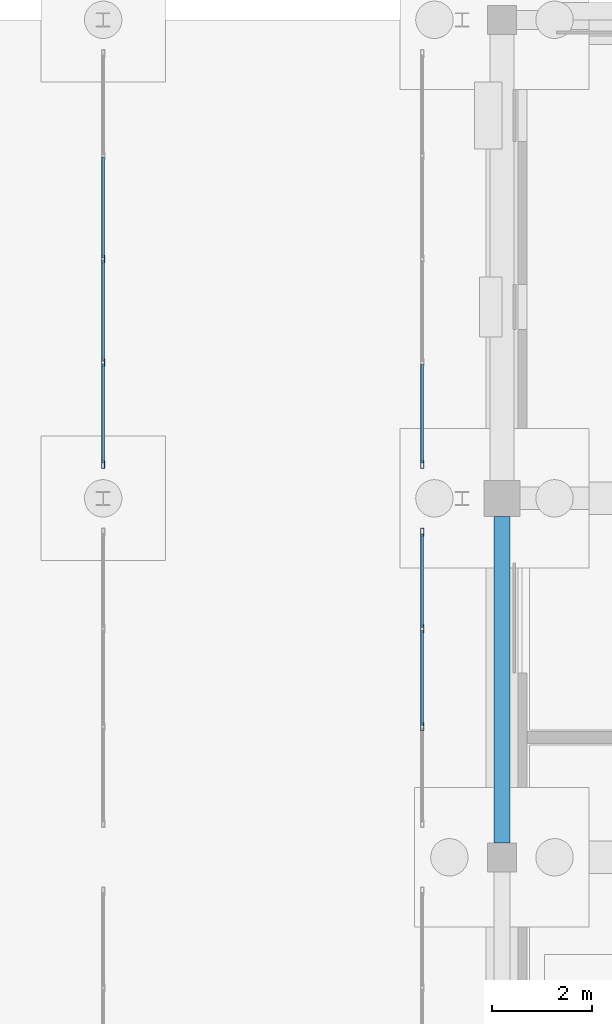
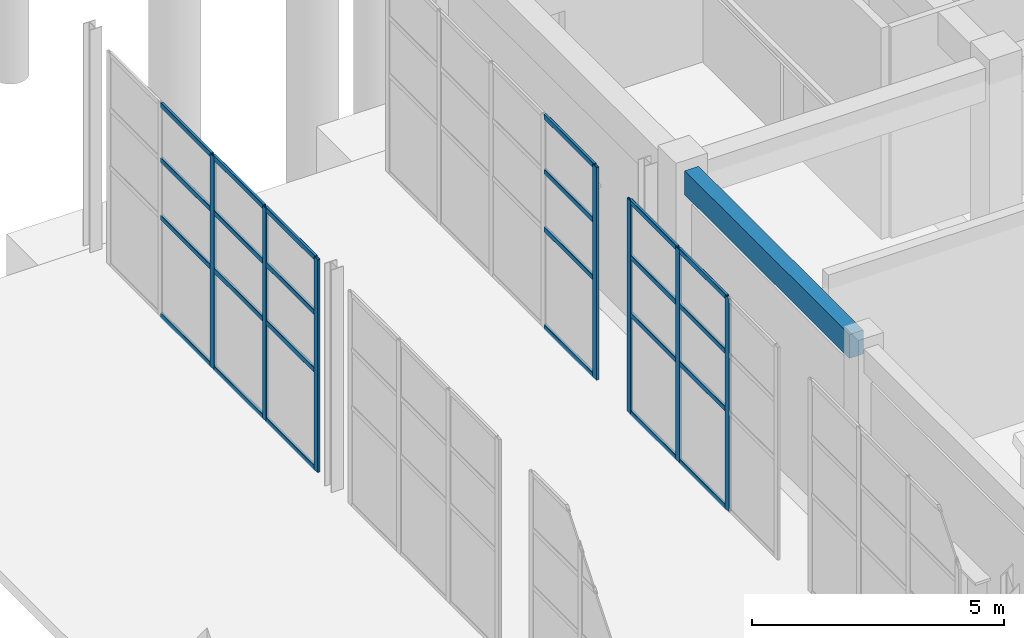
# One storey, part 28 of 91: 31 members, 1 beam, 3 elements without a shape of their own.
"""IFC4 building model written with IfcOpenShell, lengths in metres."""

import ifcopenshell
import ifcopenshell.guid

model = None  # the IFC model being written
_history = None  # IfcOwnerHistory: only IFC2X3 demands one
_inside = {}  # id of a spatial element -> (the spatial element, [elements in it])
_under = {}  # id of a project, library or spatial element -> (it, [spatial elements below it])
_declared = {}  # id of a project -> (the project, [libraries it declares])
_typed = {}  # id of a type object -> (the type object, [elements of that type])
_made_of = {}  # id of a material, layer set ... -> (it, [elements and type objects made of it])


def new_model(schema):
    """Start an empty IFC model of exactly this schema.

    Asked for "IFC4X3", IfcOpenShell would pick the latest addendum, in which some entities
    have other attributes; the version numbers below select the first issue.
    IFC2X3 requires an IfcOwnerHistory on every rooted entity: one is made here for all.
    """
    global model, _history
    if schema == "IFC4X3":
        model = ifcopenshell.file(schema_version=(4, 3, 0, 0))
    else:
        model = ifcopenshell.file(schema=schema)
    _inside.clear()
    _under.clear()
    _declared.clear()
    _typed.clear()
    _made_of.clear()
    _history = None
    if model.schema == "IFC2X3":
        org = make("IfcOrganization", Name="unknown")
        user = make(
            "IfcPersonAndOrganization",
            ThePerson=make("IfcPerson", FamilyName="unknown"),
            TheOrganization=org,
        )
        app = make(
            "IfcApplication",
            ApplicationDeveloper=org,
            Version="unknown",
            ApplicationFullName="unknown",
            ApplicationIdentifier="unknown",
        )
        _history = make(
            "IfcOwnerHistory",
            OwningUser=user,
            OwningApplication=app,
            ChangeAction="ADDED",
            CreationDate=0,
        )
    return model


def make(cls, **values):
    """One entity of the class cls with the attributes given. An attribute that is None is left unset."""
    return model.create_entity(
        cls, **{name: value for name, value in values.items() if value is not None}
    )


def rooted(cls, **values):
    """An entity with a GlobalId (a new one), such as an element, a storey or a relation."""
    return make(cls, GlobalId=ifcopenshell.guid.new(), OwnerHistory=_history, **values)


def si_unit(unit_type, name, prefix=None):
    """IfcSIUnit, for example si_unit("LENGTHUNIT", "METRE", prefix="MILLI")."""
    return make("IfcSIUnit", UnitType=unit_type, Prefix=prefix, Name=name)


def assignment(units):
    """IfcUnitAssignment: the units of a project."""
    return None if units is None else make("IfcUnitAssignment", Units=units)


def point(xyz):
    """IfcCartesianPoint."""
    return None if xyz is None else make("IfcCartesianPoint", Coordinates=xyz)


def direction(xyz):
    """IfcDirection."""
    return None if xyz is None else make("IfcDirection", DirectionRatios=xyz)


def frame(location, z_axis=None, x_axis=None):
    """IfcAxis2Placement3D, a coordinate frame: its origin and axes. An axis left out is left unset."""
    return make(
        "IfcAxis2Placement3D",
        Location=point(location),
        Axis=direction(z_axis),
        RefDirection=direction(x_axis),
    )


def frame_2d(location, x_axis=None):
    """IfcAxis2Placement2D, a coordinate frame in the plane: its origin and x axis."""
    return make(
        "IfcAxis2Placement2D", Location=point(location), RefDirection=direction(x_axis)
    )


def origin():
    """The frame at (0, 0, 0) with its axes left unset."""
    return frame((0.0, 0.0, 0.0))


def origin_2d():
    """The frame at (0, 0) in the plane with its x axis left unset."""
    return frame_2d((0.0, 0.0))


def place(relative_to, where):
    """IfcLocalPlacement: puts the frame where relative to a parent placement (None: the world)."""
    return make(
        "IfcLocalPlacement", PlacementRelTo=relative_to, RelativePlacement=where
    )


def context(
    kind, dimensions, precision=None, world=None, true_north=None, identifier=None
):
    """IfcGeometricRepresentationContext, for example the 3D "Model" context."""
    return make(
        "IfcGeometricRepresentationContext",
        ContextIdentifier=identifier,
        ContextType=kind,
        CoordinateSpaceDimension=dimensions,
        Precision=precision,
        WorldCoordinateSystem=world,
        TrueNorth=true_north,
    )


def subcontext(parent, identifier, kind, view, scale=None):
    """IfcGeometricRepresentationSubContext, for example "Body" below "Model"."""
    return make(
        "IfcGeometricRepresentationSubContext",
        ContextIdentifier=identifier,
        ContextType=kind,
        ParentContext=parent,
        TargetScale=scale,
        TargetView=view,
    )


def project(units=None, contexts=None):
    """IfcProject with its units and contexts."""
    return rooted(
        "IfcProject",
        Name="project",
        RepresentationContexts=contexts,
        UnitsInContext=assignment(units),
    )


def spatial(cls, under=None, at=None, **own):
    """A site, building, storey or space (cls), placed at a placement, below another one or the project."""
    s = rooted(cls, ObjectPlacement=at, **own)
    if under is not None:
        _under.setdefault(under.id(), (under, []))[1].append(s)
    return s


def profile(cls, at=None, kind="AREA", **sizes):
    """A parametric profile (cls). Its sizes go by their IFC names, for example OverallWidth=200.0."""
    return make(cls, ProfileType=kind, Position=at, **sizes)


def rectangle(**sizes):
    """IfcRectangleProfileDef."""
    return profile("IfcRectangleProfileDef", **sizes)


def hollow_rectangle(**sizes):
    """IfcRectangleHollowProfileDef."""
    return profile("IfcRectangleHollowProfileDef", **sizes)


def extrude(swept, where, along, depth):
    """IfcExtrudedAreaSolid: the profile swept, set in the frame where, extruded along a direction by depth."""
    return make(
        "IfcExtrudedAreaSolid",
        SweptArea=swept,
        Position=where,
        ExtrudedDirection=direction(along),
        Depth=depth,
    )


def shape(context_of_items, identifier, shape_type, items):
    """IfcShapeRepresentation: the items that make up one representation, for example the "Body"."""
    return make(
        "IfcShapeRepresentation",
        ContextOfItems=context_of_items,
        RepresentationIdentifier=identifier,
        RepresentationType=shape_type,
        Items=items,
    )


def material(Name=None, Category=None):
    """IfcMaterial."""
    return make("IfcMaterial", Name=Name, Category=Category)


def material_profile(
    of_material, cross_section, Name=None, Category=None, Priority=None
):
    """IfcMaterialProfile: a cross section and its material."""
    return make(
        "IfcMaterialProfile",
        Name=Name,
        Material=of_material,
        Profile=cross_section,
        Priority=Priority,
        Category=Category,
    )


def profile_set(profiles, Name=None, composite=None):
    """IfcMaterialProfileSet."""
    return make(
        "IfcMaterialProfileSet",
        Name=Name,
        MaterialProfiles=profiles,
        CompositeProfile=composite,
    )


def made_of(thing, what):
    """Note that an element or type object is made of a material, layer set ...; save() writes the relation."""
    if what is not None:
        _made_of.setdefault(what.id(), (what, []))[1].append(thing)
    return thing


def type_object(cls, material=None, **own):
    """A type object (cls), such as IfcWallType, which elements share."""
    return made_of(rooted(cls, **own), material)


def element(
    cls,
    number,
    at=None,
    inside=None,
    cuts=None,
    type_object=None,
    material=None,
    context=None,
    identifier="Body",
    shape_type=None,
    held_by="IfcProductDefinitionShape",
    body=None,
    shapes=None,
    **own,
):
    """One element of the class cls, such as IfcWall. Its Tag is "e" and its number.

    at: its placement. inside: the storey or other place that contains it. cuts: it is an
    opening in that element (IfcRelVoidsElement). A single representation is given by context,
    identifier, shape_type and body (its items); several are given by shapes. held_by: the class
    of the entity that holds the representations. save() writes the other relations.
    """
    e = rooted(cls, Tag="e%d" % number, ObjectPlacement=at, **own)
    if body is not None:
        shapes = [shape(context, identifier, shape_type, body)]
    if shapes is not None:
        e.Representation = make(held_by, Representations=shapes)
    if inside is not None:
        _inside.setdefault(inside.id(), (inside, []))[1].append(e)
    if cuts is not None:
        rooted(
            "IfcRelVoidsElement", RelatingBuildingElement=cuts, RelatedOpeningElement=e
        )
    if type_object is not None:
        _typed.setdefault(type_object.id(), (type_object, []))[1].append(e)
    return made_of(e, material)


def aggregate(whole, parts):
    """IfcRelAggregates: a whole, such as a stair, and the parts it consists of."""
    return rooted("IfcRelAggregates", RelatingObject=whole, RelatedObjects=parts)


def save(model, path):
    """Write the relations noted so far, then the file.

    IfcRelAggregates (storeys below a building ...), IfcRelContainedInSpatialStructure (elements
    in a storey), IfcRelDefinesByType, IfcRelAssociatesMaterial and IfcRelDeclares: one each for
    every whole, place, type object, material and project.
    """
    for whole, parts in _under.values():
        aggregate(whole, parts)
    for where, things in _inside.values():
        rooted(
            "IfcRelContainedInSpatialStructure",
            RelatedElements=things,
            RelatingStructure=where,
        )
    for kind, things in _typed.values():
        rooted("IfcRelDefinesByType", RelatedObjects=things, RelatingType=kind)
    for what, things in _made_of.values():
        rooted("IfcRelAssociatesMaterial", RelatedObjects=things, RelatingMaterial=what)
    for by, libraries in _declared.values():
        rooted("IfcRelDeclares", RelatingContext=by, RelatedDefinitions=libraries)
    model.write(path)


model = new_model("IFC4")

# Units and contexts
model_context = context("Model", 3, precision=1e-05, world=origin(), true_north=direction((0.0, 1.0)))
body_context = subcontext(model_context, "Body", "Model", "MODEL_VIEW")
ifc_project = project(units=[si_unit("LENGTHUNIT", "METRE"), si_unit("AREAUNIT", "SQUARE_METRE"), si_unit("VOLUMEUNIT", "CUBIC_METRE"), si_unit("PLANEANGLEUNIT", "RADIAN"), si_unit("MASSUNIT", "GRAM", prefix="KILO")], contexts=[model_context])

# Site, building, storey
site_placement = place(None, origin())
site = spatial("IfcSite", under=ifc_project, at=site_placement, CompositionType="ELEMENT")
building_placement = place(site_placement, origin())
building = spatial("IfcBuilding", under=site, at=building_placement, Name="Bramveld Media Centre", CompositionType="ELEMENT")
storey_placement = place(building_placement, origin())
storey = spatial("IfcBuildingStorey", under=building, at=storey_placement, Name="L00", CompositionType="ELEMENT", Elevation=0.0)

# Curtain wall, members
ifc_material_1 = material(Name="Thermally broken anodized bronze aluminium unitized curtain wall with solar-control triple glazing", Category="aluminium")
curtain_wall_type_1 = type_object("IfcCurtainWallType", Name="CW-GAL-8300x5160", PredefinedType="NOTDEFINED", material=ifc_material_1)
curtain_wall_1_placement = place(storey_placement, origin())
curtain_wall_1 = element("IfcCurtainWall", 1, at=curtain_wall_1_placement, inside=storey, type_object=curtain_wall_type_1, Name="PASS-M colonnade glazed screen 5", PredefinedType="NOTDEFINED")
ifc_material_2 = material(Name="Thermally broken anodized bronze aluminium EN AW-6063 T6 curtain-wall framing", Category="aluminium")
ifc_material_profile_1 = material_profile(ifc_material_2, hollow_rectangle(XDim=0.06005859375, YDim=0.159912109375, WallThickness=0.00390625, InnerFilletRadius=0.00390625, OuterFilletRadius=0.008056640625, at=origin_2d()), Name="AL-MULL 60x160")
ifc_profile_set_1 = profile_set([ifc_material_profile_1], Name="Thermally broken anodized bronze aluminium EN AW-6063 T6 curtain-wall framing")
member_type_1 = type_object("IfcMemberType", Name="CW-MULL-EXT", PredefinedType="MULLION", material=ifc_profile_set_1)
member_1_placement = place(storey_placement, frame((116.0, 29.47998046875, 0.0), z_axis=(0.0, 0.0, 1.0), x_axis=(-1.0, 0.0, 0.0)))
member_1 = element("IfcMember", 2, at=member_1_placement, type_object=member_type_1, Name="CW-GA-8351 mullion 1", PredefinedType="MULLION", context=body_context, shape_type="SweptSolid", body=[
    extrude(hollow_rectangle(XDim=0.06005859375, YDim=0.159912109375, WallThickness=0.00390625, InnerFilletRadius=0.00390625, OuterFilletRadius=0.008056640625, at=origin_2d()), origin(), (0.0, 0.0, 1.0), 5.159912109375),
])
member_2_placement = place(storey_placement, frame((116.0, 31.52490234375, 0.0), z_axis=(0.0, 0.0, 1.0), x_axis=(-1.0, 0.0, 0.0)))
member_2 = element("IfcMember", 3, at=member_2_placement, type_object=member_type_1, Name="CW-GA-8351 mullion 2", PredefinedType="MULLION", context=body_context, shape_type="SweptSolid", body=[
    extrude(hollow_rectangle(XDim=0.06005859375, YDim=0.159912109375, WallThickness=0.00390625, InnerFilletRadius=0.00390625, OuterFilletRadius=0.008056640625, at=origin_2d()), origin(), (0.0, 0.0, 1.0), 5.159912109375),
])
member_3_placement = place(storey_placement, frame((116.0, 33.60009765625, 0.0), z_axis=(0.0, 0.0, 1.0), x_axis=(-1.0, 0.0, 0.0)))
member_3 = element("IfcMember", 4, at=member_3_placement, type_object=member_type_1, Name="CW-GA-8351 mullion 3", PredefinedType="MULLION", context=body_context, shape_type="SweptSolid", body=[
    extrude(hollow_rectangle(XDim=0.06005859375, YDim=0.159912109375, WallThickness=0.00390625, InnerFilletRadius=0.00390625, OuterFilletRadius=0.008056640625, at=origin_2d()), origin(), (0.0, 0.0, 1.0), 5.159912109375),
])

ifc_material_3 = material(Name="Thermally broken anodized bronze aluminium unitized curtain wall with solar-control triple glazing", Category="aluminium")
curtain_wall_type_2 = type_object("IfcCurtainWallType", Name="CW-GAL-5900x5160", PredefinedType="NOTDEFINED", material=ifc_material_3)
curtain_wall_2_placement = place(storey_placement, origin())
curtain_wall_2 = element("IfcCurtainWall", 5, at=curtain_wall_2_placement, inside=storey, type_object=curtain_wall_type_2, Name="PASS-E colonnade glazed screen 4", PredefinedType="NOTDEFINED")
member_4_placement = place(storey_placement, frame((122.39990234375, 24.216552734375, 0.0), z_axis=(0.0, 0.0, 1.0), x_axis=(-1.0, 0.0, 0.0)))
member_4 = element("IfcMember", 6, at=member_4_placement, type_object=member_type_1, Name="CW-GA-5951 mullion 2", PredefinedType="MULLION", context=body_context, shape_type="SweptSolid", body=[
    extrude(hollow_rectangle(XDim=0.06005859375, YDim=0.159912109375, WallThickness=0.00390625, InnerFilletRadius=0.00390625, OuterFilletRadius=0.008056640625, at=origin_2d()), origin(), (0.0, 0.0, 1.0), 5.159912109375),
])
member_5_placement = place(storey_placement, frame((122.39990234375, 26.183349609375, 0.0), z_axis=(0.0, 0.0, 1.0), x_axis=(-1.0, 0.0, 0.0)))
member_5 = element("IfcMember", 7, at=member_5_placement, type_object=member_type_1, Name="CW-GA-5951 mullion 3", PredefinedType="MULLION", context=body_context, shape_type="SweptSolid", body=[
    extrude(hollow_rectangle(XDim=0.06005859375, YDim=0.159912109375, WallThickness=0.00390625, InnerFilletRadius=0.00390625, OuterFilletRadius=0.008056640625, at=origin_2d()), origin(), (0.0, 0.0, 1.0), 5.159912109375),
])
member_6_placement = place(storey_placement, frame((122.39990234375, 28.1201171875, 0.0), z_axis=(0.0, 0.0, 1.0), x_axis=(-1.0, 0.0, 0.0)))
member_6 = element("IfcMember", 8, at=member_6_placement, type_object=member_type_1, Name="CW-GA-5951 mullion 4", PredefinedType="MULLION", context=body_context, shape_type="SweptSolid", body=[
    extrude(hollow_rectangle(XDim=0.06005859375, YDim=0.159912109375, WallThickness=0.00390625, InnerFilletRadius=0.00390625, OuterFilletRadius=0.008056640625, at=origin_2d()), origin(), (0.0, 0.0, 1.0), 5.159912109375),
])

# Curtain wall, member
curtain_wall_3_placement = place(storey_placement, origin())
curtain_wall_3 = element("IfcCurtainWall", 9, at=curtain_wall_3_placement, inside=storey, type_object=curtain_wall_type_1, Name="PASS-E colonnade glazed screen 5", PredefinedType="NOTDEFINED")
member_7_placement = place(storey_placement, frame((122.39990234375, 29.47998046875, 0.0), z_axis=(0.0, 0.0, 1.0), x_axis=(-1.0, 0.0, 0.0)))
member_7 = element("IfcMember", 10, at=member_7_placement, type_object=member_type_1, Name="CW-GA-8351 mullion 1", PredefinedType="MULLION", context=body_context, shape_type="SweptSolid", body=[
    extrude(hollow_rectangle(XDim=0.06005859375, YDim=0.159912109375, WallThickness=0.00390625, InnerFilletRadius=0.00390625, OuterFilletRadius=0.008056640625, at=origin_2d()), origin(), (0.0, 0.0, 1.0), 5.159912109375),
])

# Member
ifc_material_4 = material(Name="Thermally broken anodized bronze aluminium EN AW-6063 T6 curtain-wall framing", Category="aluminium")
ifc_material_profile_2 = material_profile(ifc_material_4, hollow_rectangle(XDim=0.06005859375, YDim=0.1201171875, WallThickness=0.00341796875, InnerFilletRadius=0.00341796875, OuterFilletRadius=0.007080078125, at=origin_2d()), Name="AL-TRAN 60x120")
ifc_profile_set_2 = profile_set([ifc_material_profile_2], Name="Thermally broken anodized bronze aluminium EN AW-6063 T6 curtain-wall framing")
member_type_2 = type_object("IfcMemberType", Name="CW-TRAN-EXT", PredefinedType="USERDEFINED", material=ifc_profile_set_2)
member_8_placement = place(storey_placement, frame((116.0, 29.510009765625, 0.030029296875), z_axis=(0.0, 1.0, 0.0), x_axis=(-1.0, 0.0, 0.0)))
member_8 = element("IfcMember", 11, at=member_8_placement, type_object=member_type_2, Name="CW-GA-8351 transom 1.1", ObjectType="TRANSOM", PredefinedType="USERDEFINED", context=body_context, shape_type="SweptSolid", body=[
    extrude(hollow_rectangle(XDim=0.06005859375, YDim=0.1201171875, WallThickness=0.00341796875, InnerFilletRadius=0.00341796875, OuterFilletRadius=0.007080078125, at=origin_2d()), origin(), (0.0, 0.0, 1.0), 1.985107421875),
])

member_9_placement = place(storey_placement, frame((116.0, 29.510009765625, 2.39990234375), z_axis=(0.0, 1.0, 0.0), x_axis=(-1.0, 0.0, 0.0)))
member_9 = element("IfcMember", 12, at=member_9_placement, type_object=member_type_2, Name="CW-GA-8351 transom 1.2", ObjectType="TRANSOM", PredefinedType="USERDEFINED", context=body_context, shape_type="SweptSolid", body=[
    extrude(hollow_rectangle(XDim=0.06005859375, YDim=0.1201171875, WallThickness=0.00341796875, InnerFilletRadius=0.00341796875, OuterFilletRadius=0.007080078125, at=origin_2d()), origin(), (0.0, 0.0, 1.0), 1.985107421875),
])

member_10_placement = place(storey_placement, frame((116.0, 29.510009765625, 3.800048828125), z_axis=(0.0, 1.0, 0.0), x_axis=(-1.0, 0.0, 0.0)))
member_10 = element("IfcMember", 13, at=member_10_placement, type_object=member_type_2, Name="CW-GA-8351 transom 1.3", ObjectType="TRANSOM", PredefinedType="USERDEFINED", context=body_context, shape_type="SweptSolid", body=[
    extrude(hollow_rectangle(XDim=0.06005859375, YDim=0.1201171875, WallThickness=0.00341796875, InnerFilletRadius=0.00341796875, OuterFilletRadius=0.007080078125, at=origin_2d()), origin(), (0.0, 0.0, 1.0), 1.985107421875),
])

member_11_placement = place(storey_placement, frame((116.0, 29.510009765625, 5.1298828125), z_axis=(0.0, 1.0, 0.0), x_axis=(-1.0, 0.0, 0.0)))
member_11 = element("IfcMember", 14, at=member_11_placement, type_object=member_type_2, Name="CW-GA-8351 transom 1.4", ObjectType="TRANSOM", PredefinedType="USERDEFINED", context=body_context, shape_type="SweptSolid", body=[
    extrude(hollow_rectangle(XDim=0.06005859375, YDim=0.1201171875, WallThickness=0.00341796875, InnerFilletRadius=0.00341796875, OuterFilletRadius=0.007080078125, at=origin_2d()), origin(), (0.0, 0.0, 1.0), 1.985107421875),
])

member_12_placement = place(storey_placement, frame((116.0, 31.554931640625, 0.030029296875), z_axis=(0.0, 1.0, 0.0), x_axis=(-1.0, 0.0, 0.0)))
member_12 = element("IfcMember", 15, at=member_12_placement, type_object=member_type_2, Name="CW-GA-8351 transom 2.1", ObjectType="TRANSOM", PredefinedType="USERDEFINED", context=body_context, shape_type="SweptSolid", body=[
    extrude(hollow_rectangle(XDim=0.06005859375, YDim=0.1201171875, WallThickness=0.00341796875, InnerFilletRadius=0.00341796875, OuterFilletRadius=0.007080078125, at=origin_2d()), origin(), (0.0, 0.0, 1.0), 2.01513671875),
])

member_13_placement = place(storey_placement, frame((116.0, 31.554931640625, 2.39990234375), z_axis=(0.0, 1.0, 0.0), x_axis=(-1.0, 0.0, 0.0)))
member_13 = element("IfcMember", 16, at=member_13_placement, type_object=member_type_2, Name="CW-GA-8351 transom 2.2", ObjectType="TRANSOM", PredefinedType="USERDEFINED", context=body_context, shape_type="SweptSolid", body=[
    extrude(hollow_rectangle(XDim=0.06005859375, YDim=0.1201171875, WallThickness=0.00341796875, InnerFilletRadius=0.00341796875, OuterFilletRadius=0.007080078125, at=origin_2d()), origin(), (0.0, 0.0, 1.0), 2.01513671875),
])

member_14_placement = place(storey_placement, frame((116.0, 31.554931640625, 3.800048828125), z_axis=(0.0, 1.0, 0.0), x_axis=(-1.0, 0.0, 0.0)))
member_14 = element("IfcMember", 17, at=member_14_placement, type_object=member_type_2, Name="CW-GA-8351 transom 2.3", ObjectType="TRANSOM", PredefinedType="USERDEFINED", context=body_context, shape_type="SweptSolid", body=[
    extrude(hollow_rectangle(XDim=0.06005859375, YDim=0.1201171875, WallThickness=0.00341796875, InnerFilletRadius=0.00341796875, OuterFilletRadius=0.007080078125, at=origin_2d()), origin(), (0.0, 0.0, 1.0), 2.01513671875),
])

member_15_placement = place(storey_placement, frame((116.0, 31.554931640625, 5.1298828125), z_axis=(0.0, 1.0, 0.0), x_axis=(-1.0, 0.0, 0.0)))
member_15 = element("IfcMember", 18, at=member_15_placement, type_object=member_type_2, Name="CW-GA-8351 transom 2.4", ObjectType="TRANSOM", PredefinedType="USERDEFINED", context=body_context, shape_type="SweptSolid", body=[
    extrude(hollow_rectangle(XDim=0.06005859375, YDim=0.1201171875, WallThickness=0.00341796875, InnerFilletRadius=0.00341796875, OuterFilletRadius=0.007080078125, at=origin_2d()), origin(), (0.0, 0.0, 1.0), 2.01513671875),
])

member_16_placement = place(storey_placement, frame((116.0, 33.6298828125, 0.030029296875), z_axis=(0.0, 1.0, 0.0), x_axis=(-1.0, 0.0, 0.0)))
member_16 = element("IfcMember", 19, at=member_16_placement, type_object=member_type_2, Name="CW-GA-8351 transom 3.1", ObjectType="TRANSOM", PredefinedType="USERDEFINED", context=body_context, shape_type="SweptSolid", body=[
    extrude(hollow_rectangle(XDim=0.06005859375, YDim=0.1201171875, WallThickness=0.00341796875, InnerFilletRadius=0.00341796875, OuterFilletRadius=0.007080078125, at=origin_2d()), origin(), (0.0, 0.0, 1.0), 2.01513671875),
])

member_17_placement = place(storey_placement, frame((116.0, 33.6298828125, 2.39990234375), z_axis=(0.0, 1.0, 0.0), x_axis=(-1.0, 0.0, 0.0)))
member_17 = element("IfcMember", 20, at=member_17_placement, type_object=member_type_2, Name="CW-GA-8351 transom 3.2", ObjectType="TRANSOM", PredefinedType="USERDEFINED", context=body_context, shape_type="SweptSolid", body=[
    extrude(hollow_rectangle(XDim=0.06005859375, YDim=0.1201171875, WallThickness=0.00341796875, InnerFilletRadius=0.00341796875, OuterFilletRadius=0.007080078125, at=origin_2d()), origin(), (0.0, 0.0, 1.0), 2.01513671875),
])

member_18_placement = place(storey_placement, frame((116.0, 33.6298828125, 3.800048828125), z_axis=(0.0, 1.0, 0.0), x_axis=(-1.0, 0.0, 0.0)))
member_18 = element("IfcMember", 21, at=member_18_placement, type_object=member_type_2, Name="CW-GA-8351 transom 3.3", ObjectType="TRANSOM", PredefinedType="USERDEFINED", context=body_context, shape_type="SweptSolid", body=[
    extrude(hollow_rectangle(XDim=0.06005859375, YDim=0.1201171875, WallThickness=0.00341796875, InnerFilletRadius=0.00341796875, OuterFilletRadius=0.007080078125, at=origin_2d()), origin(), (0.0, 0.0, 1.0), 2.01513671875),
])

member_19_placement = place(storey_placement, frame((116.0, 33.6298828125, 5.1298828125), z_axis=(0.0, 1.0, 0.0), x_axis=(-1.0, 0.0, 0.0)))
member_19 = element("IfcMember", 22, at=member_19_placement, type_object=member_type_2, Name="CW-GA-8351 transom 3.4", ObjectType="TRANSOM", PredefinedType="USERDEFINED", context=body_context, shape_type="SweptSolid", body=[
    extrude(hollow_rectangle(XDim=0.06005859375, YDim=0.1201171875, WallThickness=0.00341796875, InnerFilletRadius=0.00341796875, OuterFilletRadius=0.007080078125, at=origin_2d()), origin(), (0.0, 0.0, 1.0), 2.01513671875),
])

aggregate(curtain_wall_1, [member_1, member_2, member_3, member_8, member_9, member_10, member_11, member_12, member_13, member_14, member_15, member_16, member_17, member_18, member_19])

member_20_placement = place(storey_placement, frame((122.39990234375, 24.24658203125, 0.030029296875), z_axis=(0.0, 1.0, 0.0), x_axis=(-1.0, 0.0, 0.0)))
member_20 = element("IfcMember", 23, at=member_20_placement, type_object=member_type_2, Name="CW-GA-5951 transom 2.1", ObjectType="TRANSOM", PredefinedType="USERDEFINED", context=body_context, shape_type="SweptSolid", body=[
    extrude(hollow_rectangle(XDim=0.06005859375, YDim=0.1201171875, WallThickness=0.00341796875, InnerFilletRadius=0.00341796875, OuterFilletRadius=0.007080078125, at=origin_2d()), origin(), (0.0, 0.0, 1.0), 1.90673828125),
])

member_21_placement = place(storey_placement, frame((122.39990234375, 24.24658203125, 2.39990234375), z_axis=(0.0, 1.0, 0.0), x_axis=(-1.0, 0.0, 0.0)))
member_21 = element("IfcMember", 24, at=member_21_placement, type_object=member_type_2, Name="CW-GA-5951 transom 2.2", ObjectType="TRANSOM", PredefinedType="USERDEFINED", context=body_context, shape_type="SweptSolid", body=[
    extrude(hollow_rectangle(XDim=0.06005859375, YDim=0.1201171875, WallThickness=0.00341796875, InnerFilletRadius=0.00341796875, OuterFilletRadius=0.007080078125, at=origin_2d()), origin(), (0.0, 0.0, 1.0), 1.90673828125),
])

member_22_placement = place(storey_placement, frame((122.39990234375, 24.24658203125, 3.800048828125), z_axis=(0.0, 1.0, 0.0), x_axis=(-1.0, 0.0, 0.0)))
member_22 = element("IfcMember", 25, at=member_22_placement, type_object=member_type_2, Name="CW-GA-5951 transom 2.3", ObjectType="TRANSOM", PredefinedType="USERDEFINED", context=body_context, shape_type="SweptSolid", body=[
    extrude(hollow_rectangle(XDim=0.06005859375, YDim=0.1201171875, WallThickness=0.00341796875, InnerFilletRadius=0.00341796875, OuterFilletRadius=0.007080078125, at=origin_2d()), origin(), (0.0, 0.0, 1.0), 1.90673828125),
])

member_23_placement = place(storey_placement, frame((122.39990234375, 24.24658203125, 5.1298828125), z_axis=(0.0, 1.0, 0.0), x_axis=(-1.0, 0.0, 0.0)))
member_23 = element("IfcMember", 26, at=member_23_placement, type_object=member_type_2, Name="CW-GA-5951 transom 2.4", ObjectType="TRANSOM", PredefinedType="USERDEFINED", context=body_context, shape_type="SweptSolid", body=[
    extrude(hollow_rectangle(XDim=0.06005859375, YDim=0.1201171875, WallThickness=0.00341796875, InnerFilletRadius=0.00341796875, OuterFilletRadius=0.007080078125, at=origin_2d()), origin(), (0.0, 0.0, 1.0), 1.90673828125),
])

member_24_placement = place(storey_placement, frame((122.39990234375, 26.21337890625, 0.030029296875), z_axis=(0.0, 1.0, 0.0), x_axis=(-1.0, 0.0, 0.0)))
member_24 = element("IfcMember", 27, at=member_24_placement, type_object=member_type_2, Name="CW-GA-5951 transom 3.1", ObjectType="TRANSOM", PredefinedType="USERDEFINED", context=body_context, shape_type="SweptSolid", body=[
    extrude(hollow_rectangle(XDim=0.06005859375, YDim=0.1201171875, WallThickness=0.00341796875, InnerFilletRadius=0.00341796875, OuterFilletRadius=0.007080078125, at=origin_2d()), origin(), (0.0, 0.0, 1.0), 1.876708984375),
])

member_25_placement = place(storey_placement, frame((122.39990234375, 26.21337890625, 2.39990234375), z_axis=(0.0, 1.0, 0.0), x_axis=(-1.0, 0.0, 0.0)))
member_25 = element("IfcMember", 28, at=member_25_placement, type_object=member_type_2, Name="CW-GA-5951 transom 3.2", ObjectType="TRANSOM", PredefinedType="USERDEFINED", context=body_context, shape_type="SweptSolid", body=[
    extrude(hollow_rectangle(XDim=0.06005859375, YDim=0.1201171875, WallThickness=0.00341796875, InnerFilletRadius=0.00341796875, OuterFilletRadius=0.007080078125, at=origin_2d()), origin(), (0.0, 0.0, 1.0), 1.876708984375),
])

member_26_placement = place(storey_placement, frame((122.39990234375, 26.21337890625, 3.800048828125), z_axis=(0.0, 1.0, 0.0), x_axis=(-1.0, 0.0, 0.0)))
member_26 = element("IfcMember", 29, at=member_26_placement, type_object=member_type_2, Name="CW-GA-5951 transom 3.3", ObjectType="TRANSOM", PredefinedType="USERDEFINED", context=body_context, shape_type="SweptSolid", body=[
    extrude(hollow_rectangle(XDim=0.06005859375, YDim=0.1201171875, WallThickness=0.00341796875, InnerFilletRadius=0.00341796875, OuterFilletRadius=0.007080078125, at=origin_2d()), origin(), (0.0, 0.0, 1.0), 1.876708984375),
])

member_27_placement = place(storey_placement, frame((122.39990234375, 26.21337890625, 5.1298828125), z_axis=(0.0, 1.0, 0.0), x_axis=(-1.0, 0.0, 0.0)))
member_27 = element("IfcMember", 30, at=member_27_placement, type_object=member_type_2, Name="CW-GA-5951 transom 3.4", ObjectType="TRANSOM", PredefinedType="USERDEFINED", context=body_context, shape_type="SweptSolid", body=[
    extrude(hollow_rectangle(XDim=0.06005859375, YDim=0.1201171875, WallThickness=0.00341796875, InnerFilletRadius=0.00341796875, OuterFilletRadius=0.007080078125, at=origin_2d()), origin(), (0.0, 0.0, 1.0), 1.876708984375),
])

aggregate(curtain_wall_2, [member_4, member_5, member_6, member_20, member_21, member_22, member_23, member_24, member_25, member_26, member_27])

member_28_placement = place(storey_placement, frame((122.39990234375, 29.510009765625, 0.030029296875), z_axis=(0.0, 1.0, 0.0), x_axis=(-1.0, 0.0, 0.0)))
member_28 = element("IfcMember", 31, at=member_28_placement, type_object=member_type_2, Name="CW-GA-8351 transom 1.1", ObjectType="TRANSOM", PredefinedType="USERDEFINED", context=body_context, shape_type="SweptSolid", body=[
    extrude(hollow_rectangle(XDim=0.06005859375, YDim=0.1201171875, WallThickness=0.00341796875, InnerFilletRadius=0.00341796875, OuterFilletRadius=0.007080078125, at=origin_2d()), origin(), (0.0, 0.0, 1.0), 1.985107421875),
])

member_29_placement = place(storey_placement, frame((122.39990234375, 29.510009765625, 2.39990234375), z_axis=(0.0, 1.0, 0.0), x_axis=(-1.0, 0.0, 0.0)))
member_29 = element("IfcMember", 32, at=member_29_placement, type_object=member_type_2, Name="CW-GA-8351 transom 1.2", ObjectType="TRANSOM", PredefinedType="USERDEFINED", context=body_context, shape_type="SweptSolid", body=[
    extrude(hollow_rectangle(XDim=0.06005859375, YDim=0.1201171875, WallThickness=0.00341796875, InnerFilletRadius=0.00341796875, OuterFilletRadius=0.007080078125, at=origin_2d()), origin(), (0.0, 0.0, 1.0), 1.985107421875),
])

member_30_placement = place(storey_placement, frame((122.39990234375, 29.510009765625, 3.800048828125), z_axis=(0.0, 1.0, 0.0), x_axis=(-1.0, 0.0, 0.0)))
member_30 = element("IfcMember", 33, at=member_30_placement, type_object=member_type_2, Name="CW-GA-8351 transom 1.3", ObjectType="TRANSOM", PredefinedType="USERDEFINED", context=body_context, shape_type="SweptSolid", body=[
    extrude(hollow_rectangle(XDim=0.06005859375, YDim=0.1201171875, WallThickness=0.00341796875, InnerFilletRadius=0.00341796875, OuterFilletRadius=0.007080078125, at=origin_2d()), origin(), (0.0, 0.0, 1.0), 1.985107421875),
])

member_31_placement = place(storey_placement, frame((122.39990234375, 29.510009765625, 5.1298828125), z_axis=(0.0, 1.0, 0.0), x_axis=(-1.0, 0.0, 0.0)))
member_31 = element("IfcMember", 34, at=member_31_placement, type_object=member_type_2, Name="CW-GA-8351 transom 1.4", ObjectType="TRANSOM", PredefinedType="USERDEFINED", context=body_context, shape_type="SweptSolid", body=[
    extrude(hollow_rectangle(XDim=0.06005859375, YDim=0.1201171875, WallThickness=0.00341796875, InnerFilletRadius=0.00341796875, OuterFilletRadius=0.007080078125, at=origin_2d()), origin(), (0.0, 0.0, 1.0), 1.985107421875),
])

aggregate(curtain_wall_3, [member_7, member_28, member_29, member_30, member_31])

# Beam
ifc_material_5 = material(Name="Concrete C40/50", Category="concrete")
ifc_material_profile_3 = material_profile(ifc_material_5, rectangle(XDim=0.320068359375, YDim=0.580078125, at=origin_2d()), Name="RC 320x580")
ifc_profile_set_3 = profile_set([ifc_material_profile_3], Name="Concrete C40/50")
beam_type = type_object("IfcBeamType", Name="SPANDREL-EXT-RC-320x580", PredefinedType="SPANDREL", material=ifc_profile_set_3)
beam_placement = place(storey_placement, frame((124.0, 21.889892578125, 4.860107421875), z_axis=(0.0, 1.0, 0.0), x_axis=(-1.0, 0.0, 0.0)))
element("IfcBeam", 35, at=beam_placement, inside=storey, type_object=beam_type, Name="V1 L00 girder Y-20", PredefinedType="SPANDREL", context=body_context, shape_type="SweptSolid", body=[
    extrude(rectangle(XDim=0.320068359375, YDim=0.580078125, at=origin_2d()), origin(), (0.0, 0.0, 1.0), 6.550048828125),
])

save(model, "model.ifc")
